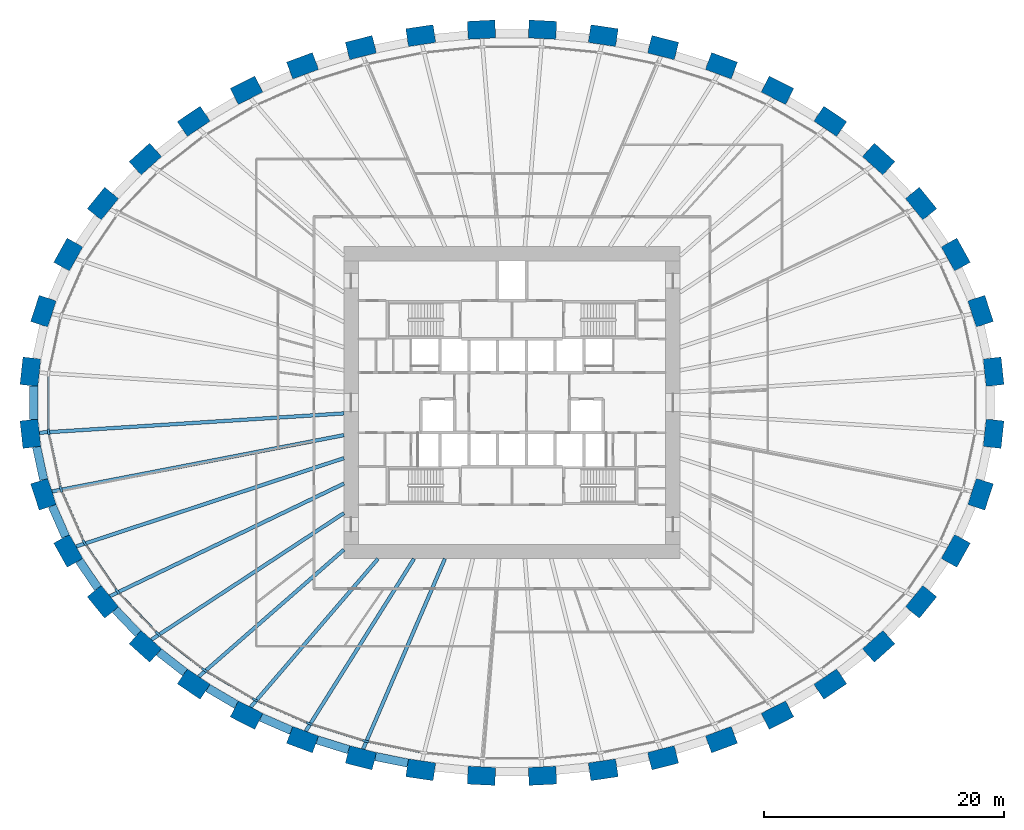
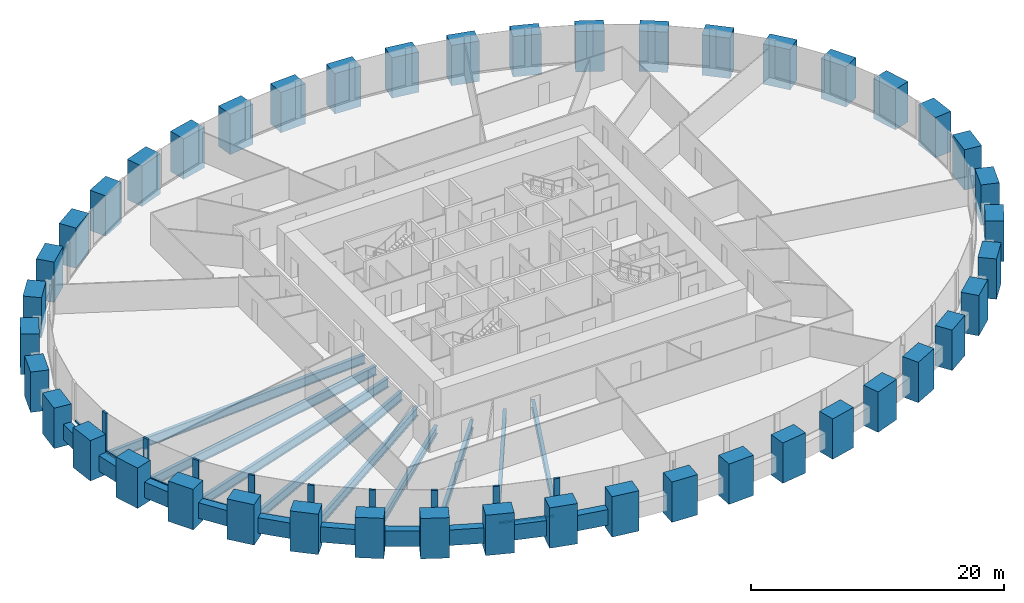
# One storey, part 1 of 11: 44 columns, 19 beams, 19 members, 1 element without a shape of its own.
"""IFC4 building model written with IfcOpenShell, lengths in metres."""

from ifc_helpers import new_model, si_unit, direction, frame, origin, origin_2d, place, context, subcontext, project, spatial, rectangle, i_section, extrude, source, transform, mapped, material, material_profile, profile_set, type_object, element, aggregate, save


model = new_model("IFC4")

# Units and contexts
model_context = context("Model", 3, precision=1e-05, world=origin(), true_north=direction((0.0, 1.0)))
body_context = subcontext(model_context, "Body", "Model", "MODEL_VIEW")
ifc_project = project(units=[si_unit("LENGTHUNIT", "METRE"), si_unit("AREAUNIT", "SQUARE_METRE"), si_unit("VOLUMEUNIT", "CUBIC_METRE"), si_unit("PLANEANGLEUNIT", "RADIAN"), si_unit("MASSUNIT", "GRAM", prefix="KILO")], contexts=[model_context])

# Site, building, storey
site_placement = place(None, origin())
site = spatial("IfcSite", under=ifc_project, at=site_placement, CompositionType="ELEMENT")
building_placement = place(site_placement, origin())
building = spatial("IfcBuilding", under=site, at=building_placement, Name="Embergate Tower", CompositionType="ELEMENT")
storey_placement = place(building_placement, frame((0.0, 0.0, 113.300048828125)))
storey = spatial("IfcBuildingStorey", under=building, at=storey_placement, Name="L24", CompositionType="ELEMENT", Elevation=113.300048828125)

# Columns
ifc_material_1 = material(Name="Concrete C70", Category="concrete")
ifc_material_profile_1 = material_profile(ifc_material_1, rectangle(XDim=1.5, YDim=2.300048828125, at=origin_2d()), Name="RC 1500x2300")
ifc_profile_set_1 = profile_set([ifc_material_profile_1], Name="Concrete C70")
column_type = type_object("IfcColumnType", Name="Ring column RC 1500x2300 C70", PredefinedType="COLUMN", material=ifc_profile_set_1)
shared_shape_1 = source(origin(), body_context, "Body", "SweptSolid", [
    extrude(rectangle(XDim=1.5, YDim=2.300048828125, at=origin_2d()), origin(), (0.0, 0.0, 1.0), 3.900146484375),
])
for number, where, z_axis, x_axis, name in (
    (1, (40.1259765625, 2.58203125, -1.400146484375), (0.0, 0.0, 1.0), (0.99428589498, 0.106749983816, 0.0), "COL-L24-00"),
    (2, (39.0400390625, 7.6259765625, -1.400146484375), (0.0, 0.0, 1.0), (0.950754033697, 0.309946394413, 0.0), "COL-L24-01"),
    (3, (36.971923828125, 12.342041015625, -1.400146484375), (0.0, 0.0, 1.0), (0.873500465855, 0.486823311018, 0.0), "COL-L24-02"),
    (4, (34.083984375, 16.590087890625, -1.400146484375), (0.0, 0.0, 1.0), (0.775925311702, 0.630824786022, 0.0), "COL-L24-03"),
    (5, (30.548095703125, 20.299072265625, -1.400146484375), (0.0, 0.0, 1.0), (0.669221393633, 0.743063070206, 0.0), "COL-L24-04"),
    (6, (26.51806640625, 23.444091796875, -1.400146484375), (0.0, 0.0, 1.0), (0.560407734638, 0.828216862275, 0.0), "COL-L24-05"),
    (7, (22.118896484375, 26.031005859375, -1.400146484375), (0.0, 0.0, 1.0), (0.453010512651, 0.891505174089, 0.0), "COL-L24-06"),
    (8, (17.449951171875, 28.072021484375, -1.400146484375), (0.0, 0.0, 1.0), (0.348343015724, 0.93736713373, 0.0), "COL-L24-07"),
    (9, (12.590087890625, 29.5859375, -1.400146484375), (0.0, 0.0, 1.0), (0.24650851817, 0.969140624713, 0.0), "COL-L24-08"),
    (10, (7.60205078125, 30.5859375, -1.400146484375), (0.0, 0.0, 1.0), (0.146929011949, 0.989147039346, 0.0), "COL-L24-09"),
    (11, (2.5419921875, 31.083984375, -1.400146484375), (0.0, 0.0, 1.0), (0.048814904854, 0.998807841912, 0.0), "COL-L24-10"),
    (12, (-2.5419921875, 31.083984375, -1.400146484375), (0.0, 0.0, 1.0), (-0.048814904854, 0.998807841912, 0.0), "COL-L24-11"),
    (13, (-7.60205078125, 30.5859375, -1.400146484375), (0.0, 0.0, 1.0), (-0.146929011949, 0.989147039346, 0.0), "COL-L24-12"),
    (14, (-12.590087890625, 29.5859375, -1.400146484375), (0.0, 0.0, 1.0), (-0.24650851817, 0.969140624713, 0.0), "COL-L24-13"),
    (15, (-17.449951171875, 28.072021484375, -1.400146484375), (0.0, 0.0, 1.0), (-0.348343015724, 0.93736713373, 0.0), "COL-L24-14"),
    (16, (-22.118896484375, 26.031005859375, -1.400146484375), (0.0, 0.0, 1.0), (-0.453010512651, 0.891505174089, 0.0), "COL-L24-15"),
    (17, (-26.51806640625, 23.444091796875, -1.400146484375), (0.0, 0.0, 1.0), (-0.560407734638, 0.828216862275, 0.0), "COL-L24-16"),
    (18, (-30.548095703125, 20.299072265625, -1.400146484375), (0.0, 0.0, 1.0), (-0.669221393633, 0.743063070206, 0.0), "COL-L24-17"),
    (19, (-34.083984375, 16.590087890625, -1.400146484375), (0.0, 0.0, 1.0), (-0.775925311702, 0.630824786022, 0.0), "COL-L24-18"),
    (20, (-36.971923828125, 12.342041015625, -1.400146484375), (0.0, 0.0, 1.0), (-0.873500465855, 0.486823311018, 0.0), "COL-L24-19"),
    (21, (-39.0400390625, 7.6259765625, -1.400146484375), (0.0, 0.0, 1.0), (-0.950754033697, 0.309946394413, 0.0), "COL-L24-20"),
    (22, (-40.1259765625, 2.58203125, -1.400146484375), (0.0, 0.0, 1.0), (-0.99428589498, 0.106749983816, 0.0), "COL-L24-21"),
    (23, (-40.1259765625, -2.58203125, -1.400146484375), (0.0, 0.0, 1.0), (-0.99428589498, -0.106749983816, 0.0), "COL-L24-22"),
    (24, (-39.0400390625, -7.6259765625, -1.400146484375), (0.0, 0.0, 1.0), (-0.950754033697, -0.309946394413, 0.0), "COL-L24-23"),
    (25, (-36.971923828125, -12.342041015625, -1.400146484375), (0.0, 0.0, 1.0), (-0.873500465855, -0.486823311018, 0.0), "COL-L24-24"),
    (26, (-34.083984375, -16.590087890625, -1.400146484375), (0.0, 0.0, 1.0), (-0.775925311702, -0.630824786022, 0.0), "COL-L24-25"),
    (27, (-30.548095703125, -20.299072265625, -1.400146484375), (0.0, 0.0, 1.0), (-0.669221393633, -0.743063070206, 0.0), "COL-L24-26"),
    (28, (-26.51806640625, -23.444091796875, -1.400146484375), (0.0, 0.0, 1.0), (-0.560407734638, -0.828216862275, 0.0), "COL-L24-27"),
    (29, (-22.118896484375, -26.031005859375, -1.400146484375), (0.0, 0.0, 1.0), (-0.453010512651, -0.891505174089, 0.0), "COL-L24-28"),
    (30, (-17.449951171875, -28.072021484375, -1.400146484375), (0.0, 0.0, 1.0), (-0.348343015724, -0.93736713373, 0.0), "COL-L24-29"),
    (31, (-12.590087890625, -29.5859375, -1.400146484375), (0.0, 0.0, 1.0), (-0.24650851817, -0.969140624713, 0.0), "COL-L24-30"),
    (32, (-7.60205078125, -30.5859375, -1.400146484375), (0.0, 0.0, 1.0), (-0.146929011949, -0.989147039346, 0.0), "COL-L24-31"),
    (33, (-2.5419921875, -31.083984375, -1.400146484375), (0.0, 0.0, 1.0), (-0.048814904854, -0.998807841912, 0.0), "COL-L24-32"),
    (34, (2.5419921875, -31.083984375, -1.400146484375), (0.0, 0.0, 1.0), (0.048814904854, -0.998807841912, 0.0), "COL-L24-33"),
    (35, (7.60205078125, -30.5859375, -1.400146484375), (0.0, 0.0, 1.0), (0.146929011949, -0.989147039346, 0.0), "COL-L24-34"),
    (36, (12.590087890625, -29.5859375, -1.400146484375), (0.0, 0.0, 1.0), (0.24650851817, -0.969140624713, 0.0), "COL-L24-35"),
    (37, (17.449951171875, -28.072021484375, -1.400146484375), (0.0, 0.0, 1.0), (0.348343015724, -0.93736713373, 0.0), "COL-L24-36"),
    (38, (22.118896484375, -26.031005859375, -1.400146484375), (0.0, 0.0, 1.0), (0.453010512651, -0.891505174089, 0.0), "COL-L24-37"),
    (39, (26.51806640625, -23.444091796875, -1.400146484375), (0.0, 0.0, 1.0), (0.560407734638, -0.828216862275, 0.0), "COL-L24-38"),
    (40, (30.548095703125, -20.299072265625, -1.400146484375), (0.0, 0.0, 1.0), (0.669221393633, -0.743063070206, 0.0), "COL-L24-39"),
    (41, (34.083984375, -16.590087890625, -1.400146484375), (0.0, 0.0, 1.0), (0.775925311702, -0.630824786022, 0.0), "COL-L24-40"),
    (42, (36.971923828125, -12.342041015625, -1.400146484375), (0.0, 0.0, 1.0), (0.873500465855, -0.486823311018, 0.0), "COL-L24-41"),
    (43, (39.0400390625, -7.6259765625, -1.400146484375), (0.0, 0.0, 1.0), (0.950754033697, -0.309946394413, 0.0), "COL-L24-42"),
    (44, (40.1259765625, -2.58203125, -1.400146484375), (0.0, 0.0, 1.0), (0.99428589498, -0.106749983816, 0.0), "COL-L24-43"),
):
    element("IfcColumn", number, at=place(storey_placement, frame(where, z_axis=z_axis, x_axis=x_axis)), inside=storey, type_object=column_type, Name=name, PredefinedType="COLUMN", context=body_context, shape_type="MappedRepresentation", body=[
        mapped(shared_shape_1, transform((0.0, 0.0, 0.0))),
    ])

# Beams
ifc_material_profile_2 = material_profile(ifc_material_1, rectangle(XDim=0.699951171875, YDim=1.5, at=origin_2d()), Name="RC 700x1500")
ifc_profile_set_2 = profile_set([ifc_material_profile_2], Name="Concrete C70")
beam_type_1 = type_object("IfcBeamType", Name="Spandrel beam RC 700x1500 C70", PredefinedType="BEAM", material=ifc_profile_set_2)
shared_shape_2 = source(origin(), body_context, "Body", "SweptSolid", [
    extrude(rectangle(XDim=0.699951171875, YDim=1.5, at=origin_2d()), origin(), (0.0, 0.0, 1.0), 2.789306640625),
])
beam_1_placement = place(storey_placement, frame((-39.60693359375, -3.68310546875, 0.0), z_axis=(0.210419662527, -0.977611152566, 0.0), x_axis=(0.977611152566, 0.210419662527, 0.0)))
element("IfcBeam", 45, at=beam_1_placement, inside=storey, type_object=beam_type_1, Name="SPN-L24-22", PredefinedType="BEAM", context=body_context, shape_type="MappedRepresentation", body=[
    mapped(shared_shape_2, transform((0.0, 0.0, 0.0))),
])
shared_shape_3 = source(origin(), body_context, "Body", "SweptSolid", [
    extrude(rectangle(XDim=0.699951171875, YDim=1.5, at=origin_2d()), origin(), (0.0, 0.0, 1.0), 2.78564453125),
])
beam_2_placement = place(storey_placement, frame((-38.31201171875, -8.597900390625, 0.0), z_axis=(0.401669232295, -0.915784815242, 0.0), x_axis=(0.915784815242, 0.401669232295, 0.0)))
element("IfcBeam", 46, at=beam_2_placement, inside=storey, type_object=beam_type_1, Name="SPN-L24-23", PredefinedType="BEAM", context=body_context, shape_type="MappedRepresentation", body=[
    mapped(shared_shape_3, transform((0.0, 0.0, 0.0))),
])
shared_shape_4 = source(origin(), body_context, "Body", "SweptSolid", [
    extrude(rectangle(XDim=0.699951171875, YDim=1.5, at=origin_2d()), origin(), (0.0, 0.0, 1.0), 2.775634765625),
])
beam_3_placement = place(storey_placement, frame((-36.06201171875, -13.152099609375, 0.0), z_axis=(0.562430313872, -0.826844690397, 0.0), x_axis=(0.826844690397, 0.562430313872, 0.0)))
element("IfcBeam", 47, at=beam_3_placement, inside=storey, type_object=beam_type_1, Name="SPN-L24-24", PredefinedType="BEAM", context=body_context, shape_type="MappedRepresentation", body=[
    mapped(shared_shape_4, transform((0.0, 0.0, 0.0))),
])
shared_shape_5 = source(origin(), body_context, "Body", "SweptSolid", [
    extrude(rectangle(XDim=0.699951171875, YDim=1.5, at=origin_2d()), origin(), (0.0, 0.0, 1.0), 2.770263671875),
])
beam_4_placement = place(storey_placement, frame((-33.055908203125, -17.237060546875, 0.0), z_axis=(0.690119345663, -0.723695577395, 0.0), x_axis=(0.723695577395, 0.690119345663, 0.0)))
element("IfcBeam", 48, at=beam_4_placement, inside=storey, type_object=beam_type_1, Name="SPN-L24-25", PredefinedType="BEAM", context=body_context, shape_type="MappedRepresentation", body=[
    mapped(shared_shape_5, transform((0.0, 0.0, 0.0))),
])
shared_shape_6 = source(origin(), body_context, "Body", "SweptSolid", [
    extrude(rectangle(XDim=0.699951171875, YDim=1.5, at=origin_2d()), origin(), (0.0, 0.0, 1.0), 2.762939453125),
])
beam_5_placement = place(storey_placement, frame((-29.426025390625, -20.77099609375, 0.0), z_axis=(0.788304284462, -0.615285588242, 0.0), x_axis=(0.615285588242, 0.788304284462, 0.0)))
element("IfcBeam", 49, at=beam_5_placement, inside=storey, type_object=beam_type_1, Name="SPN-L24-26", PredefinedType="BEAM", context=body_context, shape_type="MappedRepresentation", body=[
    mapped(shared_shape_6, transform((0.0, 0.0, 0.0))),
])
shared_shape_7 = source(origin(), body_context, "Body", "SweptSolid", [
    extrude(rectangle(XDim=0.699951171875, YDim=1.5, at=origin_2d()), origin(), (0.0, 0.0, 1.0), 2.758544921875),
])
beam_6_placement = place(storey_placement, frame((-25.345947265625, -23.763916015625, 0.0), z_axis=(0.862027482261, -0.506861539108, 0.0), x_axis=(0.506861539108, 0.862027482261, 0.0)))
element("IfcBeam", 50, at=beam_6_placement, inside=storey, type_object=beam_type_1, Name="SPN-L24-27", PredefinedType="BEAM", context=body_context, shape_type="MappedRepresentation", body=[
    mapped(shared_shape_7, transform((0.0, 0.0, 0.0))),
])
shared_shape_8 = source(origin(), body_context, "Body", "SweptSolid", [
    extrude(rectangle(XDim=0.699951171875, YDim=1.5, at=origin_2d()), origin(), (0.0, 0.0, 1.0), 2.75537109375),
])
beam_7_placement = place(storey_placement, frame((-20.9189453125, -26.2080078125, 0.0), z_axis=(0.916372764163, -0.400326063478, 0.0), x_axis=(0.400326063478, 0.916372764163, 0.0)))
element("IfcBeam", 51, at=beam_7_placement, inside=storey, type_object=beam_type_1, Name="SPN-L24-28", PredefinedType="BEAM", context=body_context, shape_type="MappedRepresentation", body=[
    mapped(shared_shape_8, transform((0.0, 0.0, 0.0))),
])
shared_shape_9 = source(origin(), body_context, "Body", "SweptSolid", [
    extrude(rectangle(XDim=0.699951171875, YDim=1.5, at=origin_2d()), origin(), (0.0, 0.0, 1.0), 2.750732421875),
])
beam_8_placement = place(storey_placement, frame((-16.23193359375, -28.095947265625, 0.0), z_axis=(0.954637769475, -0.297769590609, 0.0), x_axis=(0.297769590609, 0.954637769475, 0.0)))
element("IfcBeam", 52, at=beam_8_placement, inside=storey, type_object=beam_type_1, Name="SPN-L24-29", PredefinedType="BEAM", context=body_context, shape_type="MappedRepresentation", body=[
    mapped(shared_shape_9, transform((0.0, 0.0, 0.0))),
])
shared_shape_10 = source(origin(), body_context, "Body", "SweptSolid", [
    extrude(rectangle(XDim=0.699951171875, YDim=1.5, at=origin_2d()), origin(), (0.0, 0.0, 1.0), 2.749755859375),
])
beam_9_placement = place(storey_placement, frame((-11.376953125, -29.48291015625, 0.0), z_axis=(0.98045412413, -0.196747834743, 0.0), x_axis=(0.196747834743, 0.98045412413, 0.0)))
element("IfcBeam", 53, at=beam_9_placement, inside=storey, type_object=beam_type_1, Name="SPN-L24-30", PredefinedType="BEAM", context=body_context, shape_type="MappedRepresentation", body=[
    mapped(shared_shape_10, transform((0.0, 0.0, 0.0))),
])
shared_shape_11 = source(origin(), body_context, "Body", "SweptSolid", [
    extrude(rectangle(XDim=0.699951171875, YDim=1.5, at=origin_2d()), origin(), (0.0, 0.0, 1.0), 2.7919921875),
])
beam_10_placement = place(storey_placement, frame((-39.85009765625, 1.39599609375, 0.0), z_axis=(0.0, -1.0, 0.0), x_axis=(1.0, 0.0, 0.0)))
element("IfcBeam", 54, at=beam_10_placement, inside=storey, type_object=beam_type_1, Name="SPN-L24-21", PredefinedType="BEAM", context=body_context, shape_type="MappedRepresentation", body=[
    mapped(shared_shape_11, transform((0.0, 0.0, 0.0))),
])
ifc_material_2 = material(Name="Steel Q355B", Category="steel")
ifc_material_profile_3 = material_profile(ifc_material_2, i_section(OverallWidth=0.300048828125, OverallDepth=0.89990234375, WebThickness=0.01611328125, FlangeThickness=0.028076171875, FilletRadius=0.028076171875, at=origin_2d()), Name="HN 900x300x16x28")
ifc_profile_set_3 = profile_set([ifc_material_profile_3], Name="Steel Q355 grade B")
beam_type_2 = type_object("IfcBeamType", Name="Radial girder HN 900x300x16x28", PredefinedType="BEAM", material=ifc_profile_set_3)
shared_shape_12 = source(origin(), body_context, "Body", "SweptSolid", [
    extrude(i_section(OverallWidth=0.300048828125, OverallDepth=0.89990234375, WebThickness=0.01611328125, FlangeThickness=0.028076171875, FilletRadius=0.028076171875, at=origin_2d()), origin(), (0.0, 0.0, 1.0), 25.43115234375),
])
beam_11_placement = place(storey_placement, frame((-39.3798828125, -2.501953125, -0.650146484375), z_axis=(0.997986432318, 0.063427761344, 0.0), x_axis=(-0.063427761344, 0.997986432318, 0.0)))
element("IfcBeam", 55, at=beam_11_placement, inside=storey, type_object=beam_type_2, Name="GIR-L24-22", PredefinedType="BEAM", context=body_context, shape_type="MappedRepresentation", body=[
    mapped(shared_shape_12, transform((0.0, 0.0, 0.0))),
])
shared_shape_13 = source(origin(), body_context, "Body", "SweptSolid", [
    extrude(i_section(OverallWidth=0.300048828125, OverallDepth=0.89990234375, WebThickness=0.01611328125, FlangeThickness=0.028076171875, FilletRadius=0.028076171875, at=origin_2d()), origin(), (0.0, 0.0, 1.0), 24.775390625),
])
beam_12_placement = place(storey_placement, frame((-38.326904296875, -7.39404296875, -0.650146484375), z_axis=(0.981895013442, 0.189425929, 0.0), x_axis=(-0.189425929, 0.981895013442, 0.0)))
element("IfcBeam", 56, at=beam_12_placement, inside=storey, type_object=beam_type_2, Name="GIR-L24-23", PredefinedType="BEAM", context=body_context, shape_type="MappedRepresentation", body=[
    mapped(shared_shape_13, transform((0.0, 0.0, 0.0))),
])
shared_shape_14 = source(origin(), body_context, "Body", "SweptSolid", [
    extrude(i_section(OverallWidth=0.300048828125, OverallDepth=0.89990234375, WebThickness=0.01611328125, FlangeThickness=0.028076171875, FilletRadius=0.028076171875, at=origin_2d()), origin(), (0.0, 0.0, 1.0), 23.499267578125),
])
beam_13_placement = place(storey_placement, frame((-36.31689453125, -11.97705078125, -0.650146484375), z_axis=(0.949685213061, 0.31320599626, 0.0), x_axis=(-0.31320599626, 0.949685213061, 0.0)))
element("IfcBeam", 57, at=beam_13_placement, inside=storey, type_object=beam_type_2, Name="GIR-L24-24", PredefinedType="BEAM", context=body_context, shape_type="MappedRepresentation", body=[
    mapped(shared_shape_14, transform((0.0, 0.0, 0.0))),
])
shared_shape_15 = source(origin(), body_context, "Body", "SweptSolid", [
    extrude(i_section(OverallWidth=0.300048828125, OverallDepth=0.89990234375, WebThickness=0.01611328125, FlangeThickness=0.028076171875, FilletRadius=0.028076171875, at=origin_2d()), origin(), (0.0, 0.0, 1.0), 21.641357421875),
])
beam_14_placement = place(storey_placement, frame((-33.501953125, -16.116943359375, -0.650146484375), z_axis=(0.901145989674, 0.433515749765, 0.0), x_axis=(-0.433515749765, 0.901145989674, 0.0)))
element("IfcBeam", 58, at=beam_14_placement, inside=storey, type_object=beam_type_2, Name="GIR-L24-25", PredefinedType="BEAM", context=body_context, shape_type="MappedRepresentation", body=[
    mapped(shared_shape_15, transform((0.0, 0.0, 0.0))),
])
shared_shape_16 = source(origin(), body_context, "Body", "SweptSolid", [
    extrude(i_section(OverallWidth=0.300048828125, OverallDepth=0.89990234375, WebThickness=0.01611328125, FlangeThickness=0.028076171875, FilletRadius=0.028076171875, at=origin_2d()), origin(), (0.0, 0.0, 1.0), 19.19970703125),
])
beam_15_placement = place(storey_placement, frame((-30.0458984375, -19.741943359375, -0.650146484375), z_axis=(0.835740827345, 0.549124092996, 0.0), x_axis=(-0.549124092996, 0.835740827345, 0.0)))
element("IfcBeam", 59, at=beam_15_placement, inside=storey, type_object=beam_type_2, Name="GIR-L24-26", PredefinedType="BEAM", context=body_context, shape_type="MappedRepresentation", body=[
    mapped(shared_shape_16, transform((0.0, 0.0, 0.0))),
])
ifc_material_profile_4 = material_profile(ifc_material_2, i_section(OverallWidth=0.300048828125, OverallDepth=0.800048828125, WebThickness=0.013916015625, FlangeThickness=0.02587890625, FilletRadius=0.028076171875, at=origin_2d()), Name="HN 800x300x14x26")
ifc_profile_set_4 = profile_set([ifc_material_profile_4], Name="Steel Q355 grade B")
beam_type_3 = type_object("IfcBeamType", Name="Radial girder HN 800x300x14x26", PredefinedType="BEAM", material=ifc_profile_set_4)
shared_shape_17 = source(origin(), body_context, "Body", "SweptSolid", [
    extrude(i_section(OverallWidth=0.300048828125, OverallDepth=0.800048828125, WebThickness=0.013916015625, FlangeThickness=0.02587890625, FilletRadius=0.028076171875, at=origin_2d()), origin(), (0.0, 0.0, 1.0), 16.071533203125),
])
beam_16_placement = place(storey_placement, frame((-26.097900390625, -22.822998046875, -0.60009765625), z_axis=(0.752748875992, 0.658307777329, 0.0), x_axis=(-0.658307777329, 0.752748875992, 0.0)))
element("IfcBeam", 60, at=beam_16_placement, inside=storey, type_object=beam_type_3, Name="GIR-L24-27", PredefinedType="BEAM", context=body_context, shape_type="MappedRepresentation", body=[
    mapped(shared_shape_17, transform((0.0, 0.0, 0.0))),
])
shared_shape_18 = source(origin(), body_context, "Body", "SweptSolid", [
    extrude(i_section(OverallWidth=0.300048828125, OverallDepth=0.800048828125, WebThickness=0.013916015625, FlangeThickness=0.02587890625, FilletRadius=0.028076171875, at=origin_2d()), origin(), (0.0, 0.0, 1.0), 16.294677734375),
])
beam_17_placement = place(storey_placement, frame((-21.779052734375, -25.362060546875, -0.60009765625), z_axis=(0.651495635829, 0.758652381856, 0.0), x_axis=(-0.758652381856, 0.651495635829, 0.0)))
element("IfcBeam", 61, at=beam_17_placement, inside=storey, type_object=beam_type_3, Name="GIR-L24-28", PredefinedType="BEAM", context=body_context, shape_type="MappedRepresentation", body=[
    mapped(shared_shape_18, transform((0.0, 0.0, 0.0))),
])
shared_shape_19 = source(origin(), body_context, "Body", "SweptSolid", [
    extrude(i_section(OverallWidth=0.300048828125, OverallDepth=0.800048828125, WebThickness=0.013916015625, FlangeThickness=0.02587890625, FilletRadius=0.028076171875, at=origin_2d()), origin(), (0.0, 0.0, 1.0), 16.968017578125),
])
beam_18_placement = place(storey_placement, frame((-17.18896484375, -27.368896484375, -0.60009765625), z_axis=(0.53187684388, 0.846821718513, 0.0), x_axis=(-0.846821718513, 0.53187684388, 0.0)))
element("IfcBeam", 62, at=beam_18_placement, inside=storey, type_object=beam_type_3, Name="GIR-L24-29", PredefinedType="BEAM", context=body_context, shape_type="MappedRepresentation", body=[
    mapped(shared_shape_19, transform((0.0, 0.0, 0.0))),
])
shared_shape_20 = source(origin(), body_context, "Body", "SweptSolid", [
    extrude(i_section(OverallWidth=0.300048828125, OverallDepth=0.800048828125, WebThickness=0.013916015625, FlangeThickness=0.02587890625, FilletRadius=0.028076171875, at=origin_2d()), origin(), (0.0, 0.0, 1.0), 17.261962890625),
])
beam_19_placement = place(storey_placement, frame((-12.405029296875, -28.85888671875, -0.60009765625), z_axis=(0.394921038266, 0.918715066566, 0.0), x_axis=(-0.918715066566, 0.394921038266, 0.0)))
element("IfcBeam", 63, at=beam_19_placement, inside=storey, type_object=beam_type_3, Name="GIR-L24-30", PredefinedType="BEAM", context=body_context, shape_type="MappedRepresentation", body=[
    mapped(shared_shape_20, transform((0.0, 0.0, 0.0))),
])

# Curtain wall, members
ifc_material_3 = material(Name="Aluminium and glass", Category="aluminium")
curtain_wall_type = type_object("IfcCurtainWallType", Name="Recessed office glazing", PredefinedType="NOTDEFINED", material=ifc_material_3)
curtain_wall_placement = place(storey_placement, origin())
curtain_wall = element("IfcCurtainWall", 64, at=curtain_wall_placement, inside=storey, type_object=curtain_wall_type, Name="Recessed office glazing ring", ObjectType="RECESSED OFFICE GLAZING", PredefinedType="USERDEFINED")
ifc_material_4 = material(Name="Aluminium, thermally broken", Category="aluminium")
ifc_material_profile_5 = material_profile(ifc_material_4, rectangle(XDim=0.179931640625, YDim=0.52001953125, at=origin_2d()), Name="AL 520x180")
ifc_profile_set_5 = profile_set([ifc_material_profile_5], Name="Aluminium, thermally broken")
member_type_1 = type_object("IfcMemberType", Name="Office mullion", PredefinedType="MULLION", material=ifc_profile_set_5)
shared_shape_21 = source(origin(), body_context, "Body", "SweptSolid", [
    extrude(rectangle(XDim=0.179931640625, YDim=0.52001953125, at=origin_2d()), origin(), (0.0, 0.0, 1.0), 3.699951171875),
])
member_1_placement = place(storey_placement, frame((-38.610595703125, -2.435791015625, 0.0), z_axis=(0.0, 0.0, 1.0), x_axis=(0.994385324123, 0.105819786286, 0.0)))
member_1 = element("IfcMember", 65, at=member_1_placement, type_object=member_type_1, Name="CW mullion 23", PredefinedType="MULLION", context=body_context, shape_type="MappedRepresentation", body=[
    mapped(shared_shape_21, transform((0.0, 0.0, 0.0))),
])
member_2_placement = place(storey_placement, frame((-37.5849609375, -7.20068359375, 0.0), z_axis=(0.0, 0.0, 1.0), x_axis=(0.951500482757, 0.30764725143, 0.0)))
member_2 = element("IfcMember", 66, at=member_2_placement, type_object=member_type_1, Name="CW mullion 24", PredefinedType="MULLION", context=body_context, shape_type="MappedRepresentation", body=[
    mapped(shared_shape_21, transform((0.0, 0.0, 0.0))),
])
member_3_placement = place(storey_placement, frame((-35.62451171875, -11.6708984375, 0.0), z_axis=(0.0, 0.0, 1.0), x_axis=(0.875006965472, 0.484110328723, 0.0)))
member_3 = element("IfcMember", 67, at=member_3_placement, type_object=member_type_1, Name="CW mullion 25", PredefinedType="MULLION", context=body_context, shape_type="MappedRepresentation", body=[
    mapped(shared_shape_21, transform((0.0, 0.0, 0.0))),
])
member_4_placement = place(storey_placement, frame((-32.87451171875, -15.714599609375, 0.0), z_axis=(0.0, 0.0, 1.0), x_axis=(0.777879145133, 0.628413904658, 0.0)))
member_4 = element("IfcMember", 68, at=member_4_placement, type_object=member_type_1, Name="CW mullion 26", PredefinedType="MULLION", context=body_context, shape_type="MappedRepresentation", body=[
    mapped(shared_shape_21, transform((0.0, 0.0, 0.0))),
])
member_5_placement = place(storey_placement, frame((-29.49365234375, -19.260009765625, 0.0), z_axis=(0.0, 0.0, 1.0), x_axis=(0.671233002577, 0.741246420734, 0.0)))
member_5 = element("IfcMember", 69, at=member_5_placement, type_object=member_type_1, Name="CW mullion 27", PredefinedType="MULLION", context=body_context, shape_type="MappedRepresentation", body=[
    mapped(shared_shape_21, transform((0.0, 0.0, 0.0))),
])
member_6_placement = place(storey_placement, frame((-25.6259765625, -22.278564453125, 0.0), z_axis=(0.0, 0.0, 1.0), x_axis=(0.562223392005, 0.826985403428, 0.0)))
member_6 = element("IfcMember", 70, at=member_6_placement, type_object=member_type_1, Name="CW mullion 28", PredefinedType="MULLION", context=body_context, shape_type="MappedRepresentation", body=[
    mapped(shared_shape_21, transform((0.0, 0.0, 0.0))),
])
member_7_placement = place(storey_placement, frame((-21.391357421875, -24.768310546875, 0.0), z_axis=(0.0, 0.0, 1.0), x_axis=(0.454516044429, 0.890738550506, 0.0)))
member_7 = element("IfcMember", 71, at=member_7_placement, type_object=member_type_1, Name="CW mullion 29", PredefinedType="MULLION", context=body_context, shape_type="MappedRepresentation", body=[
    mapped(shared_shape_21, transform((0.0, 0.0, 0.0))),
])
member_8_placement = place(storey_placement, frame((-16.88623046875, -26.73828125, 0.0), z_axis=(0.0, 0.0, 1.0), x_axis=(0.34950595337, 0.936934143128, 0.0)))
member_8 = element("IfcMember", 72, at=member_8_placement, type_object=member_type_1, Name="CW mullion 30", PredefinedType="MULLION", context=body_context, shape_type="MappedRepresentation", body=[
    mapped(shared_shape_21, transform((0.0, 0.0, 0.0))),
])
member_9_placement = place(storey_placement, frame((-12.1884765625, -28.201171875, 0.0), z_axis=(0.0, 0.0, 1.0), x_axis=(0.247315263593, 0.968935065107, 0.0)))
member_9 = element("IfcMember", 73, at=member_9_placement, type_object=member_type_1, Name="CW mullion 31", PredefinedType="MULLION", context=body_context, shape_type="MappedRepresentation", body=[
    mapped(shared_shape_21, transform((0.0, 0.0, 0.0))),
])
ifc_material_profile_6 = material_profile(ifc_material_4, rectangle(XDim=0.179931640625, YDim=0.14990234375, at=origin_2d()), Name="AL 150x180")
ifc_profile_set_6 = profile_set([ifc_material_profile_6], Name="Aluminium, thermally broken")
member_type_2 = type_object("IfcMemberType", Name="Office sill transom", PredefinedType="USERDEFINED", material=ifc_profile_set_6)
shared_shape_22 = source(origin(), body_context, "Body", "SweptSolid", [
    extrude(rectangle(XDim=0.179931640625, YDim=0.14990234375, at=origin_2d()), origin(), (0.0, 0.0, 1.0), 4.361083984375),
])
member_10_placement = place(storey_placement, frame((-37.48046875, -7.43896484375, 0.074951171875), z_axis=(0.401614544281, -0.915808799817, 0.0), x_axis=(0.915808799817, 0.401614544281, 0.0)))
member_10 = element("IfcMember", 74, at=member_10_placement, type_object=member_type_2, Name="CW transom 24.1", ObjectType="TRANSOM", PredefinedType="USERDEFINED", context=body_context, shape_type="MappedRepresentation", body=[
    mapped(shared_shape_22, transform((0.0, 0.0, 0.0))),
])
shared_shape_23 = source(origin(), body_context, "Body", "SweptSolid", [
    extrude(rectangle(XDim=0.179931640625, YDim=0.14990234375, at=origin_2d()), origin(), (0.0, 0.0, 1.0), 4.37890625),
])
member_11_placement = place(storey_placement, frame((-32.695068359375, -15.90283203125, 0.074951171875), z_axis=(0.690125589668, -0.723689623032, 0.0), x_axis=(0.723689623032, 0.690125589668, 0.0)))
member_11 = element("IfcMember", 75, at=member_11_placement, type_object=member_type_2, Name="CW transom 26.1", ObjectType="TRANSOM", PredefinedType="USERDEFINED", context=body_context, shape_type="MappedRepresentation", body=[
    mapped(shared_shape_23, transform((0.0, 0.0, 0.0))),
])
shared_shape_24 = source(origin(), body_context, "Body", "SweptSolid", [
    extrude(rectangle(XDim=0.179931640625, YDim=0.14990234375, at=origin_2d()), origin(), (0.0, 0.0, 1.0), 4.354248046875),
])
member_12_placement = place(storey_placement, frame((-38.555908203125, -2.68994140625, 0.074951171875), z_axis=(0.21042500241, -0.977610003202, 0.0), x_axis=(0.977610003202, 0.21042500241, 0.0)))
member_12 = element("IfcMember", 76, at=member_12_placement, type_object=member_type_2, Name="CW transom 23.1", ObjectType="TRANSOM", PredefinedType="USERDEFINED", context=body_context, shape_type="MappedRepresentation", body=[
    mapped(shared_shape_24, transform((0.0, 0.0, 0.0))),
])
shared_shape_25 = source(origin(), body_context, "Body", "SweptSolid", [
    extrude(rectangle(XDim=0.179931640625, YDim=0.14990234375, at=origin_2d()), origin(), (0.0, 0.0, 1.0), 4.3701171875),
])
member_13_placement = place(storey_placement, frame((-35.478271484375, -11.885986328125, 0.074951171875), z_axis=(0.562334469625, -0.826909876753, 0.0), x_axis=(0.826909876753, 0.562334469625, 0.0)))
member_13 = element("IfcMember", 77, at=member_13_placement, type_object=member_type_2, Name="CW transom 25.1", ObjectType="TRANSOM", PredefinedType="USERDEFINED", context=body_context, shape_type="MappedRepresentation", body=[
    mapped(shared_shape_25, transform((0.0, 0.0, 0.0))),
])
shared_shape_26 = source(origin(), body_context, "Body", "SweptSolid", [
    extrude(rectangle(XDim=0.179931640625, YDim=0.14990234375, at=origin_2d()), origin(), (0.0, 0.0, 1.0), 4.386474609375),
])
member_14_placement = place(storey_placement, frame((-29.288818359375, -19.419921875, 0.074951171875), z_axis=(0.78833816957, -0.615242172156, 0.0), x_axis=(0.615242172156, 0.78833816957, 0.0)))
member_14 = element("IfcMember", 78, at=member_14_placement, type_object=member_type_2, Name="CW transom 27.1", ObjectType="TRANSOM", PredefinedType="USERDEFINED", context=body_context, shape_type="MappedRepresentation", body=[
    mapped(shared_shape_26, transform((0.0, 0.0, 0.0))),
])
shared_shape_27 = source(origin(), body_context, "Body", "SweptSolid", [
    extrude(rectangle(XDim=0.179931640625, YDim=0.14990234375, at=origin_2d()), origin(), (0.0, 0.0, 1.0), 4.392333984375),
])
member_15_placement = place(storey_placement, frame((-25.40185546875, -22.410400390625, 0.074951171875), z_axis=(0.862029933252, -0.506857370645, 0.0), x_axis=(0.506857370645, 0.862029933252, 0.0)))
member_15 = element("IfcMember", 79, at=member_15_placement, type_object=member_type_2, Name="CW transom 28.1", ObjectType="TRANSOM", PredefinedType="USERDEFINED", context=body_context, shape_type="MappedRepresentation", body=[
    mapped(shared_shape_27, transform((0.0, 0.0, 0.0))),
])
shared_shape_28 = source(origin(), body_context, "Body", "SweptSolid", [
    extrude(rectangle(XDim=0.179931640625, YDim=0.14990234375, at=origin_2d()), origin(), (0.0, 0.0, 1.0), 4.396728515625),
])
member_16_placement = place(storey_placement, frame((-21.153076171875, -24.87255859375, 0.074951171875), z_axis=(0.91624269748, -0.400623662949, 0.0), x_axis=(0.400623662949, 0.91624269748, 0.0)))
member_16 = element("IfcMember", 80, at=member_16_placement, type_object=member_type_2, Name="CW transom 29.1", ObjectType="TRANSOM", PredefinedType="USERDEFINED", context=body_context, shape_type="MappedRepresentation", body=[
    mapped(shared_shape_28, transform((0.0, 0.0, 0.0))),
])
shared_shape_29 = source(origin(), body_context, "Body", "SweptSolid", [
    extrude(rectangle(XDim=0.179931640625, YDim=0.14990234375, at=origin_2d()), origin(), (0.0, 0.0, 1.0), 4.400146484375),
])
member_17_placement = place(storey_placement, frame((-16.637939453125, -26.815673828125, 0.074951171875), z_axis=(0.954787500192, -0.297289134474, 0.0), x_axis=(0.297289134474, 0.954787500192, 0.0)))
member_17 = element("IfcMember", 81, at=member_17_placement, type_object=member_type_2, Name="CW transom 30.1", ObjectType="TRANSOM", PredefinedType="USERDEFINED", context=body_context, shape_type="MappedRepresentation", body=[
    mapped(shared_shape_29, transform((0.0, 0.0, 0.0))),
])
shared_shape_30 = source(origin(), body_context, "Body", "SweptSolid", [
    extrude(rectangle(XDim=0.179931640625, YDim=0.14990234375, at=origin_2d()), origin(), (0.0, 0.0, 1.0), 4.40234375),
])
member_18_placement = place(storey_placement, frame((-11.93359375, -28.25244140625, 0.074951171875), z_axis=(0.980473883267, -0.196649343329, 0.0), x_axis=(0.196649343329, 0.980473883267, 0.0)))
member_18 = element("IfcMember", 82, at=member_18_placement, type_object=member_type_2, Name="CW transom 31.1", ObjectType="TRANSOM", PredefinedType="USERDEFINED", context=body_context, shape_type="MappedRepresentation", body=[
    mapped(shared_shape_30, transform((0.0, 0.0, 0.0))),
])
shared_shape_31 = source(origin(), body_context, "Body", "SweptSolid", [
    extrude(rectangle(XDim=0.179931640625, YDim=0.14990234375, at=origin_2d()), origin(), (0.0, 0.0, 1.0), 4.3515625),
])
member_19_placement = place(storey_placement, frame((-38.610595703125, 2.17578125, 0.074951171875), z_axis=(0.0, -1.0, 0.0), x_axis=(1.0, 0.0, 0.0)))
member_19 = element("IfcMember", 83, at=member_19_placement, type_object=member_type_2, Name="CW transom 22.1", ObjectType="TRANSOM", PredefinedType="USERDEFINED", context=body_context, shape_type="MappedRepresentation", body=[
    mapped(shared_shape_31, transform((0.0, 0.0, 0.0))),
])
aggregate(curtain_wall, [member_1, member_2, member_3, member_4, member_5, member_6, member_7, member_8, member_9, member_19, member_12, member_10, member_13, member_11, member_14, member_15, member_16, member_17, member_18])

save(model, "model.ifc")
